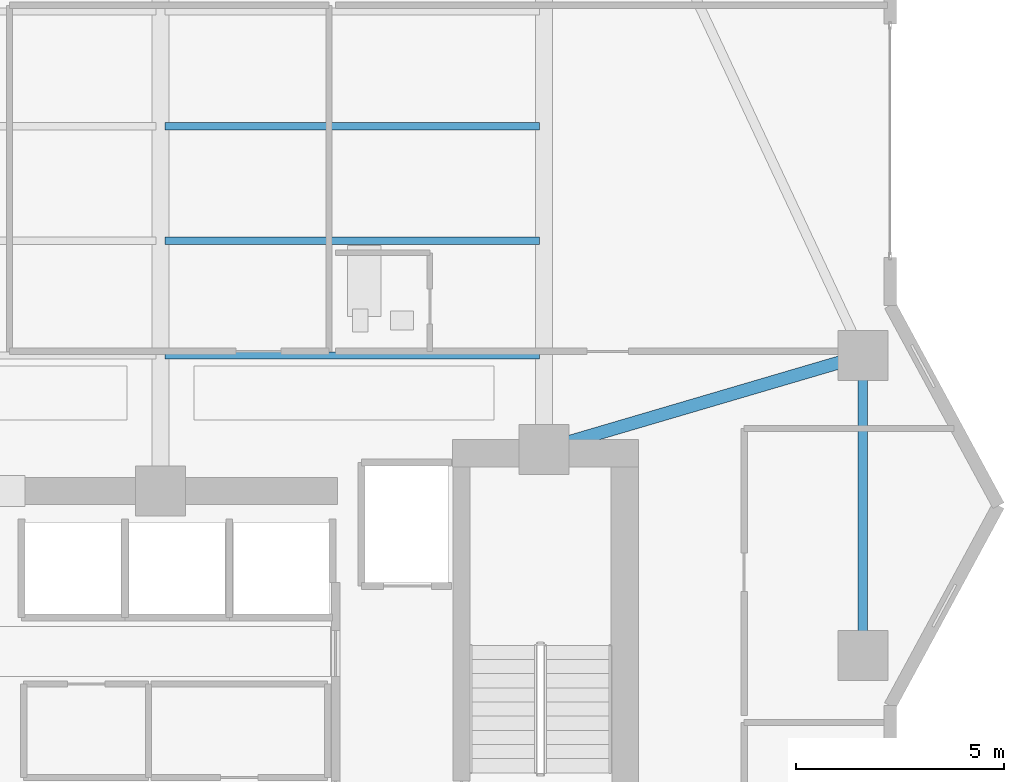
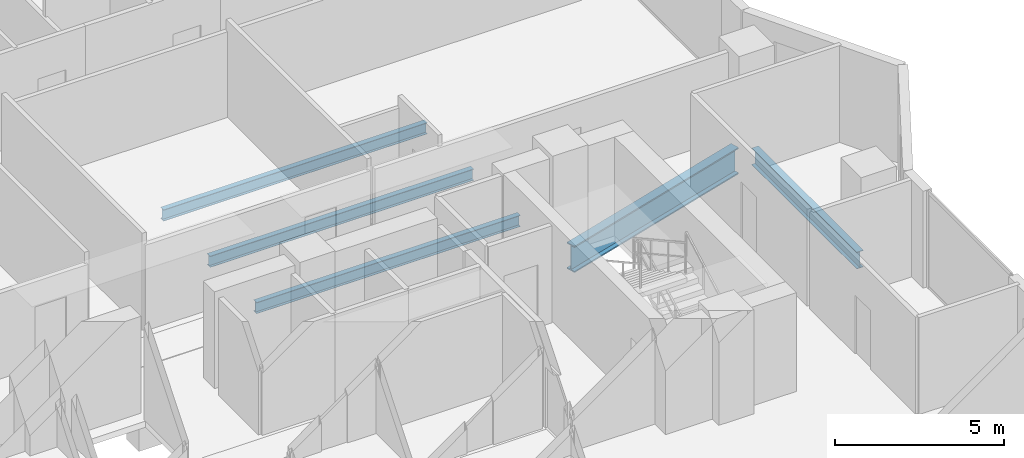
# One storey, part 13 of 33: 5 beams.
"""IFC4 building model written with IfcOpenShell, lengths in metres."""

import ifcopenshell
import ifcopenshell.guid

model = None  # the IFC model being written
_history = None  # IfcOwnerHistory: only IFC2X3 demands one
_inside = {}  # id of a spatial element -> (the spatial element, [elements in it])
_under = {}  # id of a project, library or spatial element -> (it, [spatial elements below it])
_declared = {}  # id of a project -> (the project, [libraries it declares])
_typed = {}  # id of a type object -> (the type object, [elements of that type])
_made_of = {}  # id of a material, layer set ... -> (it, [elements and type objects made of it])


def new_model(schema):
    """Start an empty IFC model of exactly this schema.

    Asked for "IFC4X3", IfcOpenShell would pick the latest addendum, in which some entities
    have other attributes; the version numbers below select the first issue.
    IFC2X3 requires an IfcOwnerHistory on every rooted entity: one is made here for all.
    """
    global model, _history
    if schema == "IFC4X3":
        model = ifcopenshell.file(schema_version=(4, 3, 0, 0))
    else:
        model = ifcopenshell.file(schema=schema)
    _inside.clear()
    _under.clear()
    _declared.clear()
    _typed.clear()
    _made_of.clear()
    _history = None
    if model.schema == "IFC2X3":
        org = make("IfcOrganization", Name="unknown")
        user = make(
            "IfcPersonAndOrganization",
            ThePerson=make("IfcPerson", FamilyName="unknown"),
            TheOrganization=org,
        )
        app = make(
            "IfcApplication",
            ApplicationDeveloper=org,
            Version="unknown",
            ApplicationFullName="unknown",
            ApplicationIdentifier="unknown",
        )
        _history = make(
            "IfcOwnerHistory",
            OwningUser=user,
            OwningApplication=app,
            ChangeAction="ADDED",
            CreationDate=0,
        )
    return model


def make(cls, **values):
    """One entity of the class cls with the attributes given. An attribute that is None is left unset."""
    return model.create_entity(
        cls, **{name: value for name, value in values.items() if value is not None}
    )


def rooted(cls, **values):
    """An entity with a GlobalId (a new one), such as an element, a storey or a relation."""
    return make(cls, GlobalId=ifcopenshell.guid.new(), OwnerHistory=_history, **values)


def si_unit(unit_type, name, prefix=None):
    """IfcSIUnit, for example si_unit("LENGTHUNIT", "METRE", prefix="MILLI")."""
    return make("IfcSIUnit", UnitType=unit_type, Prefix=prefix, Name=name)


def assignment(units):
    """IfcUnitAssignment: the units of a project."""
    return None if units is None else make("IfcUnitAssignment", Units=units)


def point(xyz):
    """IfcCartesianPoint."""
    return None if xyz is None else make("IfcCartesianPoint", Coordinates=xyz)


def direction(xyz):
    """IfcDirection."""
    return None if xyz is None else make("IfcDirection", DirectionRatios=xyz)


def frame(location, z_axis=None, x_axis=None):
    """IfcAxis2Placement3D, a coordinate frame: its origin and axes. An axis left out is left unset."""
    return make(
        "IfcAxis2Placement3D",
        Location=point(location),
        Axis=direction(z_axis),
        RefDirection=direction(x_axis),
    )


def frame_2d(location, x_axis=None):
    """IfcAxis2Placement2D, a coordinate frame in the plane: its origin and x axis."""
    return make(
        "IfcAxis2Placement2D", Location=point(location), RefDirection=direction(x_axis)
    )


def origin():
    """The frame at (0, 0, 0) with its axes left unset."""
    return frame((0.0, 0.0, 0.0))


def origin_2d():
    """The frame at (0, 0) in the plane with its x axis left unset."""
    return frame_2d((0.0, 0.0))


def place(relative_to, where):
    """IfcLocalPlacement: puts the frame where relative to a parent placement (None: the world)."""
    return make(
        "IfcLocalPlacement", PlacementRelTo=relative_to, RelativePlacement=where
    )


def context(
    kind, dimensions, precision=None, world=None, true_north=None, identifier=None
):
    """IfcGeometricRepresentationContext, for example the 3D "Model" context."""
    return make(
        "IfcGeometricRepresentationContext",
        ContextIdentifier=identifier,
        ContextType=kind,
        CoordinateSpaceDimension=dimensions,
        Precision=precision,
        WorldCoordinateSystem=world,
        TrueNorth=true_north,
    )


def subcontext(parent, identifier, kind, view, scale=None):
    """IfcGeometricRepresentationSubContext, for example "Body" below "Model"."""
    return make(
        "IfcGeometricRepresentationSubContext",
        ContextIdentifier=identifier,
        ContextType=kind,
        ParentContext=parent,
        TargetScale=scale,
        TargetView=view,
    )


def project(units=None, contexts=None):
    """IfcProject with its units and contexts."""
    return rooted(
        "IfcProject",
        Name="project",
        RepresentationContexts=contexts,
        UnitsInContext=assignment(units),
    )


def spatial(cls, under=None, at=None, **own):
    """A site, building, storey or space (cls), placed at a placement, below another one or the project."""
    s = rooted(cls, ObjectPlacement=at, **own)
    if under is not None:
        _under.setdefault(under.id(), (under, []))[1].append(s)
    return s


def profile(cls, at=None, kind="AREA", **sizes):
    """A parametric profile (cls). Its sizes go by their IFC names, for example OverallWidth=200.0."""
    return make(cls, ProfileType=kind, Position=at, **sizes)


def i_section(**sizes):
    """IfcIShapeProfileDef."""
    return profile("IfcIShapeProfileDef", **sizes)


def extrude(swept, where, along, depth):
    """IfcExtrudedAreaSolid: the profile swept, set in the frame where, extruded along a direction by depth."""
    return make(
        "IfcExtrudedAreaSolid",
        SweptArea=swept,
        Position=where,
        ExtrudedDirection=direction(along),
        Depth=depth,
    )


def shape(context_of_items, identifier, shape_type, items):
    """IfcShapeRepresentation: the items that make up one representation, for example the "Body"."""
    return make(
        "IfcShapeRepresentation",
        ContextOfItems=context_of_items,
        RepresentationIdentifier=identifier,
        RepresentationType=shape_type,
        Items=items,
    )


def material(Name=None, Category=None):
    """IfcMaterial."""
    return make("IfcMaterial", Name=Name, Category=Category)


def material_profile(
    of_material, cross_section, Name=None, Category=None, Priority=None
):
    """IfcMaterialProfile: a cross section and its material."""
    return make(
        "IfcMaterialProfile",
        Name=Name,
        Material=of_material,
        Profile=cross_section,
        Priority=Priority,
        Category=Category,
    )


def profile_set(profiles, Name=None, composite=None):
    """IfcMaterialProfileSet."""
    return make(
        "IfcMaterialProfileSet",
        Name=Name,
        MaterialProfiles=profiles,
        CompositeProfile=composite,
    )


def made_of(thing, what):
    """Note that an element or type object is made of a material, layer set ...; save() writes the relation."""
    if what is not None:
        _made_of.setdefault(what.id(), (what, []))[1].append(thing)
    return thing


def type_object(cls, material=None, **own):
    """A type object (cls), such as IfcWallType, which elements share."""
    return made_of(rooted(cls, **own), material)


def element(
    cls,
    number,
    at=None,
    inside=None,
    cuts=None,
    type_object=None,
    material=None,
    context=None,
    identifier="Body",
    shape_type=None,
    held_by="IfcProductDefinitionShape",
    body=None,
    shapes=None,
    **own,
):
    """One element of the class cls, such as IfcWall. Its Tag is "e" and its number.

    at: its placement. inside: the storey or other place that contains it. cuts: it is an
    opening in that element (IfcRelVoidsElement). A single representation is given by context,
    identifier, shape_type and body (its items); several are given by shapes. held_by: the class
    of the entity that holds the representations. save() writes the other relations.
    """
    e = rooted(cls, Tag="e%d" % number, ObjectPlacement=at, **own)
    if body is not None:
        shapes = [shape(context, identifier, shape_type, body)]
    if shapes is not None:
        e.Representation = make(held_by, Representations=shapes)
    if inside is not None:
        _inside.setdefault(inside.id(), (inside, []))[1].append(e)
    if cuts is not None:
        rooted(
            "IfcRelVoidsElement", RelatingBuildingElement=cuts, RelatedOpeningElement=e
        )
    if type_object is not None:
        _typed.setdefault(type_object.id(), (type_object, []))[1].append(e)
    return made_of(e, material)


def aggregate(whole, parts):
    """IfcRelAggregates: a whole, such as a stair, and the parts it consists of."""
    return rooted("IfcRelAggregates", RelatingObject=whole, RelatedObjects=parts)


def save(model, path):
    """Write the relations noted so far, then the file.

    IfcRelAggregates (storeys below a building ...), IfcRelContainedInSpatialStructure (elements
    in a storey), IfcRelDefinesByType, IfcRelAssociatesMaterial and IfcRelDeclares: one each for
    every whole, place, type object, material and project.
    """
    for whole, parts in _under.values():
        aggregate(whole, parts)
    for where, things in _inside.values():
        rooted(
            "IfcRelContainedInSpatialStructure",
            RelatedElements=things,
            RelatingStructure=where,
        )
    for kind, things in _typed.values():
        rooted("IfcRelDefinesByType", RelatedObjects=things, RelatingType=kind)
    for what, things in _made_of.values():
        rooted("IfcRelAssociatesMaterial", RelatedObjects=things, RelatingMaterial=what)
    for by, libraries in _declared.values():
        rooted("IfcRelDeclares", RelatingContext=by, RelatedDefinitions=libraries)
    model.write(path)


model = new_model("IFC4")

# Units and contexts
model_context = context("Model", 3, precision=1e-05, world=origin(), true_north=direction((0.0, 1.0)))
body_context = subcontext(model_context, "Body", "Model", "MODEL_VIEW")
ifc_project = project(units=[si_unit("LENGTHUNIT", "METRE"), si_unit("AREAUNIT", "SQUARE_METRE"), si_unit("VOLUMEUNIT", "CUBIC_METRE"), si_unit("PLANEANGLEUNIT", "RADIAN"), si_unit("MASSUNIT", "GRAM", prefix="KILO")], contexts=[model_context])

# Site, building, storey
site_placement = place(None, origin())
site = spatial("IfcSite", under=ifc_project, at=site_placement, CompositionType="ELEMENT")
building_placement = place(site_placement, origin())
building = spatial("IfcBuilding", under=site, at=building_placement, Name="Zuhayl Quay Hotel", CompositionType="ELEMENT")
storey_placement = place(building_placement, frame((0.0, 0.0, 229.89990234375)))
storey = spatial("IfcBuildingStorey", under=building, at=storey_placement, Name="L58", CompositionType="ELEMENT", Elevation=229.89990234375)

# Beams
ifc_material = material(Name="Steel ASTM A992 Grade 50", Category="steel")
ifc_material_profile_1 = material_profile(ifc_material, i_section(OverallWidth=0.22802734375, OverallDepth=0.60693359375, WebThickness=0.01123046875, FlangeThickness=0.017333984375, at=origin_2d()), Name="W24X76")
ifc_profile_set_1 = profile_set([ifc_material_profile_1], Name="Steel ASTM A992 Grade 50")
beam_type_1 = type_object("IfcBeamType", Name="BM_B3_W24X76", PredefinedType="BEAM", material=ifc_profile_set_1)
beam_1_placement = place(storey_placement, frame((21.449951171875, 9.89990234375, -0.5234375), z_axis=(0.0, 1.0, 0.0), x_axis=(-1.0, 0.0, 0.0)))
element("IfcBeam", 1, at=beam_1_placement, inside=storey, type_object=beam_type_1, Name="L58 Floor Beam RG_L58_05", PredefinedType="BEAM", context=body_context, shape_type="SweptSolid", body=[
    extrude(i_section(OverallWidth=0.22802734375, OverallDepth=0.60693359375, WebThickness=0.01123046875, FlangeThickness=0.017333984375, at=origin_2d()), origin(), (0.0, 0.0, 1.0), 6.2001953125),
])
ifc_material_profile_2 = material_profile(ifc_material, i_section(OverallWidth=0.177978515625, OverallDepth=0.406005859375, WebThickness=0.0078125, FlangeThickness=0.0126953125, at=origin_2d()), Name="W16X40")
ifc_profile_set_2 = profile_set([ifc_material_profile_2], Name="Steel ASTM A992 Grade 50")
beam_type_2 = type_object("IfcBeamType", Name="BM_J2B_W16X40", PredefinedType="JOIST", material=ifc_profile_set_2)
for number, where, z_axis, x_axis, name in (
    (2, (4.7060546875, 16.60009765625, -0.4228515625), (1.0, 0.0, 0.0), (0.0, 1.0, 0.0), "L58 Floor Beam FJ_L58_1_3"),
    (3, (4.7060546875, 19.35009765625, -0.4228515625), (1.0, 0.0, 0.0), (0.0, 1.0, 0.0), "L58 Floor Beam FJ_L58_2_3"),
    (4, (4.7060546875, 22.10009765625, -0.4228515625), (1.0, 0.0, 0.0), (0.0, 1.0, 0.0), "L58 Floor Beam FJ_L58_3_3"),
):
    element("IfcBeam", number, at=place(storey_placement, frame(where, z_axis=z_axis, x_axis=x_axis)), inside=storey, type_object=beam_type_2, Name=name, PredefinedType="JOIST", context=body_context, shape_type="SweptSolid", body=[
        extrude(i_section(OverallWidth=0.177978515625, OverallDepth=0.406005859375, WebThickness=0.0078125, FlangeThickness=0.0126953125, at=origin_2d()), origin(), (0.0, 0.0, 1.0), 8.988037109375),
    ])
ifc_material_profile_3 = material_profile(ifc_material, i_section(OverallWidth=0.31005859375, OverallDepth=0.949951171875, WebThickness=0.0244140625, FlangeThickness=0.0439453125, at=origin_2d()), Name="W36X256")
ifc_profile_set_3 = profile_set([ifc_material_profile_3], Name="Steel ASTM A992 Grade 50")
beam_type_3 = type_object("IfcBeamType", Name="BM_PG1_W36X256", PredefinedType="BEAM", material=ifc_profile_set_3)
beam_2_placement = place(storey_placement, frame((14.231689453125, 14.47705078125, -0.69482421875), z_axis=(0.959364948093, 0.282168205812, 0.0), x_axis=(-0.282168205812, 0.959364948093, 0.0)))
element("IfcBeam", 5, at=beam_2_placement, inside=storey, type_object=beam_type_3, Name="L58 Floor Beam FG_E_L58_2", PredefinedType="BEAM", context=body_context, shape_type="SweptSolid", body=[
    extrude(i_section(OverallWidth=0.31005859375, OverallDepth=0.949951171875, WebThickness=0.0244140625, FlangeThickness=0.0439453125, at=origin_2d()), origin(), (0.0, 0.0, 1.0), 7.02392578125),
])

save(model, "model.ifc")
